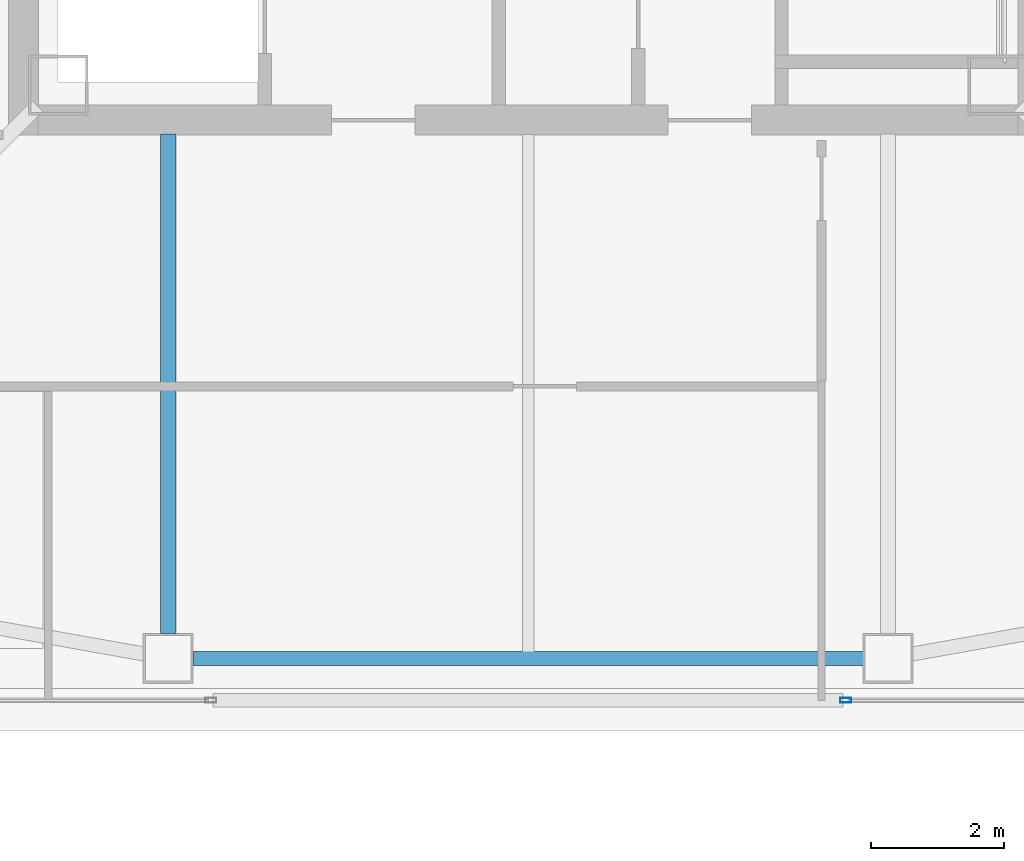
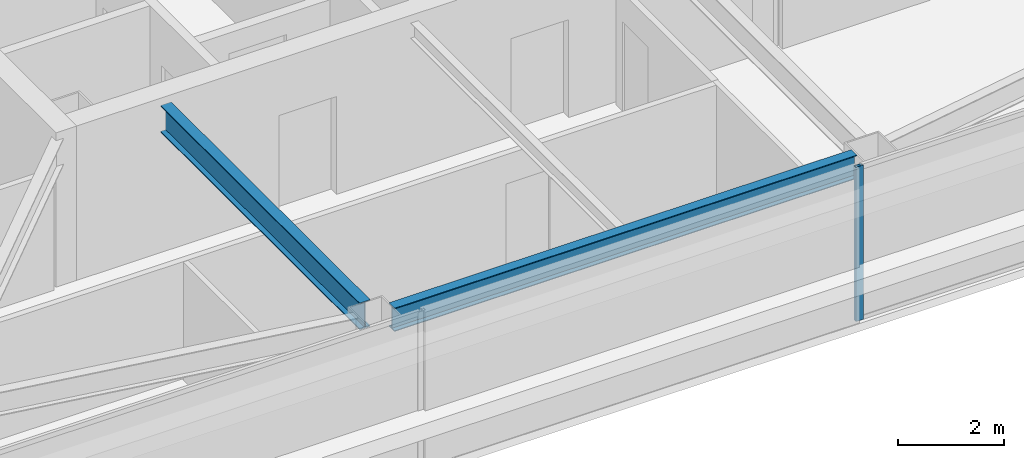
# One storey, part 5 of 39: 2 beams, 1 member, 1 element without a shape of its own.
"""IFC4 building model written with IfcOpenShell, lengths in metres."""

from ifc_helpers import new_model, si_unit, direction, frame, origin, origin_2d, place, context, subcontext, project, spatial, hollow_rectangle, i_section, extrude, material, material_profile, profile_set, type_object, element, aggregate, save


model = new_model("IFC4")

# Units and contexts
model_context = context("Model", 3, precision=1e-05, world=origin(), true_north=direction((0.0, 1.0)))
body_context = subcontext(model_context, "Body", "Model", "MODEL_VIEW")
ifc_project = project(units=[si_unit("LENGTHUNIT", "METRE"), si_unit("AREAUNIT", "SQUARE_METRE"), si_unit("VOLUMEUNIT", "CUBIC_METRE"), si_unit("PLANEANGLEUNIT", "RADIAN"), si_unit("MASSUNIT", "GRAM", prefix="KILO")], contexts=[model_context])

# Site, building, storey
site_placement = place(None, origin())
site = spatial("IfcSite", under=ifc_project, at=site_placement, CompositionType="ELEMENT")
building_placement = place(site_placement, origin())
building = spatial("IfcBuilding", under=site, at=building_placement, Name="Tashvorn Skyway Center", CompositionType="ELEMENT")
storey_placement = place(building_placement, frame((0.0, 0.0, 207.75)))
storey = spatial("IfcBuildingStorey", under=building, at=storey_placement, Name="L56", CompositionType="ELEMENT", Elevation=207.75)

# Beams
ifc_material_1 = material(Name="Steel ASTM A992 Grade 50", Category="steel")
ifc_material_profile_1 = material_profile(ifc_material_1, i_section(OverallWidth=0.22998046875, OverallDepth=0.616943359375, WebThickness=0.01318359375, FlangeThickness=0.022216796875, at=origin_2d()), Name="W24X94")
ifc_profile_set_1 = profile_set([ifc_material_profile_1], Name="Steel ASTM A992 Grade 50")
beam_type_1 = type_object("IfcBeamType", Name="BM-BEAM-W24X94", PredefinedType="BEAM", material=ifc_profile_set_1)
beam_1_placement = place(storey_placement, frame((36.60009765625, 16.719970703125, 3.0615234375), z_axis=(0.0, 1.0, 0.0), x_axis=(-1.0, 0.0, 0.0)))
element("IfcBeam", 1, at=beam_1_placement, inside=storey, type_object=beam_type_1, Name="Tower 1 L56 Primary Floor Girder FC-S1", PredefinedType="BEAM", context=body_context, shape_type="SweptSolid", body=[
    extrude(i_section(OverallWidth=0.22998046875, OverallDepth=0.616943359375, WebThickness=0.01318359375, FlangeThickness=0.022216796875, at=origin_2d()), origin(), (0.0, 0.0, 1.0), 7.5),
])
ifc_material_profile_2 = material_profile(ifc_material_1, i_section(OverallWidth=0.2109375, OverallDepth=0.5390625, WebThickness=0.01171875, FlangeThickness=0.018798828125, at=origin_2d()), Name="W21X73")
ifc_profile_set_2 = profile_set([ifc_material_profile_2], Name="Steel ASTM A992 Grade 50")
beam_type_2 = type_object("IfcBeamType", Name="BM-SPANDREL-W21X73", PredefinedType="SPANDREL", material=ifc_profile_set_2)
beam_2_placement = place(storey_placement, frame((36.969970703125, 16.35009765625, 3.1005859375), z_axis=(1.0, 0.0, 0.0), x_axis=(0.0, 1.0, 0.0)))
element("IfcBeam", 2, at=beam_2_placement, inside=storey, type_object=beam_type_2, Name="Tower 1 L56 Spandrel Beam 02", PredefinedType="SPANDREL", context=body_context, shape_type="SweptSolid", body=[
    extrude(i_section(OverallWidth=0.2109375, OverallDepth=0.5390625, WebThickness=0.01171875, FlangeThickness=0.018798828125, at=origin_2d()), origin(), (0.0, 0.0, 1.0), 10.06005859375),
])

# Curtain wall, member
ifc_material_2 = material(Name="Thermally broken bronze-anodized aluminium 6063-T6", Category="aluminium")
curtain_wall_type = type_object("IfcCurtainWallType", Name="CW-CW-Z5", PredefinedType="NOTDEFINED", material=ifc_material_2)
curtain_wall_placement = place(storey_placement, origin())
curtain_wall = element("IfcCurtainWall", 3, at=curtain_wall_placement, inside=storey, type_object=curtain_wall_type, Name="Tower 1 L56 South Unitised Curtain Wall Glazing Group 1", PredefinedType="NOTDEFINED")
ifc_material_profile_3 = material_profile(ifc_material_2, hollow_rectangle(XDim=0.070068359375, YDim=0.1650390625, WallThickness=0.00390625, at=origin_2d()), Name="ALU-MULL-70x165")
ifc_profile_set_3 = profile_set([ifc_material_profile_3], Name="Thermally broken bronze-anodized aluminium 6063-T6")
member_type = type_object("IfcMemberType", Name="CWM-CW-Z5", PredefinedType="MULLION", material=ifc_profile_set_3)
member_placement = place(storey_placement, frame((46.76171875, 15.719970703125, 0.0), z_axis=(0.0, 0.0, 1.0), x_axis=(0.0, -1.0, 0.0)))
member = element("IfcMember", 4, at=member_placement, type_object=member_type, Name="CW-Z5 mullion 2", PredefinedType="MULLION", context=body_context, shape_type="SweptSolid", body=[
    extrude(hollow_rectangle(XDim=0.070068359375, YDim=0.1650390625, WallThickness=0.00390625, at=origin_2d()), origin(), (0.0, 0.0, 1.0), 3.550048828125),
])
aggregate(curtain_wall, [member])

save(model, "model.ifc")
